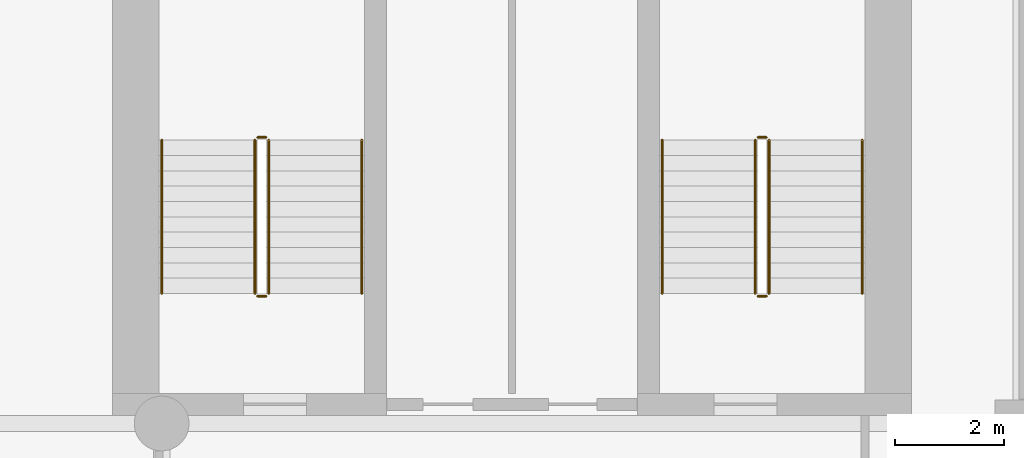
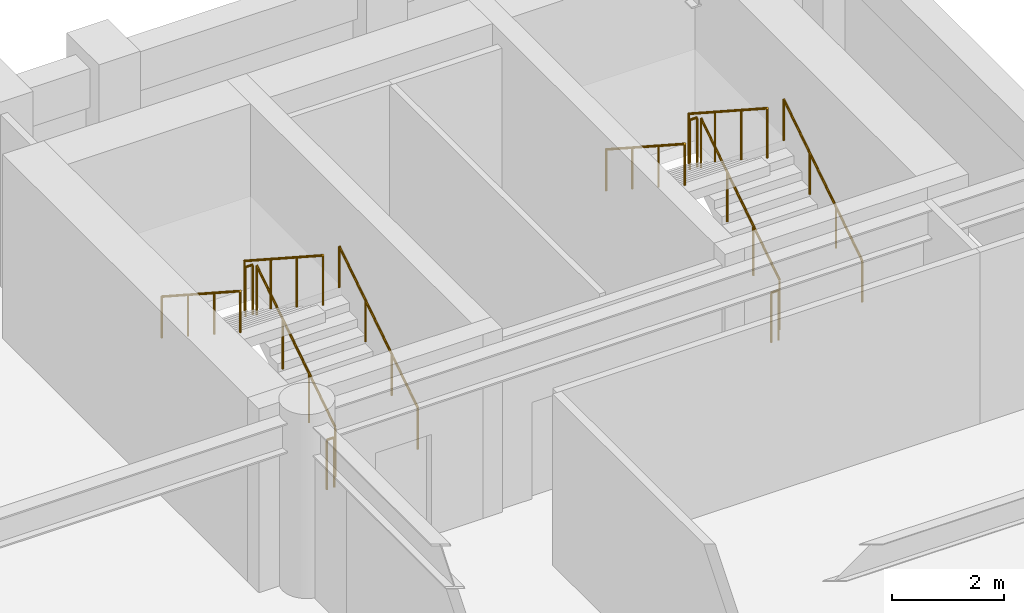
# One storey, part 8 of 8: 12 railings.
"""IFC4 building model written with IfcOpenShell, lengths in metres."""

from ifc_helpers import new_model, si_unit, direction, frame, origin, origin_2d, place, context, subcontext, project, spatial, circle, extrude, material, type_object, element, save


model = new_model("IFC4")

# Units and contexts
model_context = context("Model", 3, precision=1e-05, world=origin(), true_north=direction((0.0, 1.0)))
body_context = subcontext(model_context, "Body", "Model", "MODEL_VIEW")
ifc_project = project(units=[si_unit("LENGTHUNIT", "METRE"), si_unit("AREAUNIT", "SQUARE_METRE"), si_unit("VOLUMEUNIT", "CUBIC_METRE"), si_unit("PLANEANGLEUNIT", "RADIAN"), si_unit("MASSUNIT", "GRAM", prefix="KILO")], contexts=[model_context])

# Site, building, storey
site_placement = place(None, origin())
site = spatial("IfcSite", under=ifc_project, at=site_placement, CompositionType="ELEMENT")
building_placement = place(site_placement, origin())
building = spatial("IfcBuilding", under=site, at=building_placement, Name="Sulina Concourse Tower", CompositionType="ELEMENT")
storey_placement = place(building_placement, frame((0.0, 0.0, 116.60009765625)))
storey = spatial("IfcBuildingStorey", under=building, at=storey_placement, Name="L28", CompositionType="ELEMENT", Elevation=116.60009765625)

# Railings
ifc_material_1 = material(Name="Galvanised steel railing", Category="steel")
railing_type_1 = type_object("IfcRailingType", Name="Core Stair Steel Guardrail 1150mm", PredefinedType="GUARDRAIL", material=ifc_material_1)
railing_1_placement = place(storey_placement, frame((43.554931640625, 36.375, 0.181640625)))
element("IfcRailing", 1, at=railing_1_placement, inside=storey, type_object=railing_type_1, Name="L28 ST-3 stair guard 1", PredefinedType="GUARDRAIL", context=body_context, shape_type="SweptSolid", body=[
    extrude(circle(Radius=0.02392578125, at=origin_2d()), frame((0.0, 0.0, 1.076171875), z_axis=(0.0, 0.838672427954, 0.544636170843), x_axis=(-1.0, 0.0, 0.0)), (0.0, 0.0, 1.0), 3.338623046875),
    extrude(circle(Radius=0.02099609375, at=origin_2d()), origin(), (0.0, 0.0, 1.0), 1.052001953125),
    extrude(circle(Radius=0.02099609375, at=origin_2d()), frame((0.0, 0.933349609375, 0.606201171875)), (0.0, 0.0, 1.0), 1.052001953125),
    extrude(circle(Radius=0.02099609375, at=origin_2d()), frame((0.0, 1.86669921875, 1.212158203125)), (0.0, 0.0, 1.0), 1.052001953125),
    extrude(circle(Radius=0.02099609375, at=origin_2d()), frame((0.0, 2.800048828125, 1.818359375)), (0.0, 0.0, 1.0), 1.052001953125),
])
railing_2_placement = place(storey_placement, frame((43.5048828125, 39.22509765625, 2.0)))
element("IfcRailing", 2, at=railing_2_placement, inside=storey, type_object=railing_type_1, Name="L28 ST-3 stair guard 2", PredefinedType="GUARDRAIL", context=body_context, shape_type="SweptSolid", body=[
    extrude(circle(Radius=0.02392578125, at=origin_2d()), frame((0.0, 0.0, 1.076171875), z_axis=(-1.0, 0.0, 0.0), x_axis=(0.0, -1.0, 0.0)), (0.0, 0.0, 1.0), 0.14990234375),
    extrude(circle(Radius=0.02099609375, at=origin_2d()), origin(), (0.0, 0.0, 1.0), 1.052001953125),
    extrude(circle(Radius=0.02099609375, at=origin_2d()), frame((-0.14990234375, 0.0, 0.0)), (0.0, 0.0, 1.0), 1.052001953125),
])
railing_3_placement = place(storey_placement, frame((43.304931640625, 39.175048828125, 2.181640625)))
element("IfcRailing", 3, at=railing_3_placement, inside=storey, type_object=railing_type_1, Name="L28 ST-3 stair guard 3", PredefinedType="GUARDRAIL", context=body_context, shape_type="SweptSolid", body=[
    extrude(circle(Radius=0.02392578125, at=origin_2d()), frame((0.0, 0.0, 1.076171875), z_axis=(0.0, -0.838672427954, 0.544636170843), x_axis=(1.0, 0.0, 0.0)), (0.0, 0.0, 1.0), 3.338623046875),
    extrude(circle(Radius=0.02099609375, at=origin_2d()), origin(), (0.0, 0.0, 1.0), 1.052001953125),
    extrude(circle(Radius=0.02099609375, at=origin_2d()), frame((0.0, -0.933349609375, 0.606201171875)), (0.0, 0.0, 1.0), 1.052001953125),
    extrude(circle(Radius=0.02099609375, at=origin_2d()), frame((0.0, -1.86669921875, 1.212158203125)), (0.0, 0.0, 1.0), 1.052001953125),
    extrude(circle(Radius=0.02099609375, at=origin_2d()), frame((0.0, -2.800048828125, 1.818359375)), (0.0, 0.0, 1.0), 1.052001953125),
])
railing_4_placement = place(storey_placement, frame((43.5048828125, 36.324951171875, 0.0)))
element("IfcRailing", 4, at=railing_4_placement, inside=storey, type_object=railing_type_1, Name="L28 ST-3 stair guard 4", PredefinedType="GUARDRAIL", context=body_context, shape_type="SweptSolid", body=[
    extrude(circle(Radius=0.02392578125, at=origin_2d()), frame((0.0, 0.0, 1.076171875), z_axis=(-1.0, 0.0, 0.0), x_axis=(0.0, -1.0, 0.0)), (0.0, 0.0, 1.0), 0.14990234375),
    extrude(circle(Radius=0.02099609375, at=origin_2d()), origin(), (0.0, 0.0, 1.0), 1.052001953125),
    extrude(circle(Radius=0.02099609375, at=origin_2d()), frame((-0.14990234375, 0.0, 0.0)), (0.0, 0.0, 1.0), 1.052001953125),
])
railing_5_placement = place(storey_placement, frame((52.695068359375, 36.375, 0.181640625)))
element("IfcRailing", 5, at=railing_5_placement, inside=storey, type_object=railing_type_1, Name="L28 ST-4 stair guard 1", PredefinedType="GUARDRAIL", context=body_context, shape_type="SweptSolid", body=[
    extrude(circle(Radius=0.02392578125, at=origin_2d()), frame((0.0, 0.0, 1.076171875), z_axis=(0.0, 0.838672427954, 0.544636170843), x_axis=(-1.0, 0.0, 0.0)), (0.0, 0.0, 1.0), 3.338623046875),
    extrude(circle(Radius=0.02099609375, at=origin_2d()), origin(), (0.0, 0.0, 1.0), 1.052001953125),
    extrude(circle(Radius=0.02099609375, at=origin_2d()), frame((0.0, 0.933349609375, 0.606201171875)), (0.0, 0.0, 1.0), 1.052001953125),
    extrude(circle(Radius=0.02099609375, at=origin_2d()), frame((0.0, 1.86669921875, 1.212158203125)), (0.0, 0.0, 1.0), 1.052001953125),
    extrude(circle(Radius=0.02099609375, at=origin_2d()), frame((0.0, 2.800048828125, 1.818359375)), (0.0, 0.0, 1.0), 1.052001953125),
])
railing_6_placement = place(storey_placement, frame((52.64501953125, 39.22509765625, 2.0)))
element("IfcRailing", 6, at=railing_6_placement, inside=storey, type_object=railing_type_1, Name="L28 ST-4 stair guard 2", PredefinedType="GUARDRAIL", context=body_context, shape_type="SweptSolid", body=[
    extrude(circle(Radius=0.02392578125, at=origin_2d()), frame((0.0, 0.0, 1.076171875), z_axis=(-1.0, 0.0, 0.0), x_axis=(0.0, -1.0, 0.0)), (0.0, 0.0, 1.0), 0.14990234375),
    extrude(circle(Radius=0.02099609375, at=origin_2d()), origin(), (0.0, 0.0, 1.0), 1.052001953125),
    extrude(circle(Radius=0.02099609375, at=origin_2d()), frame((-0.14990234375, 0.0, 0.0)), (0.0, 0.0, 1.0), 1.052001953125),
])
railing_7_placement = place(storey_placement, frame((52.445068359375, 39.175048828125, 2.181640625)))
element("IfcRailing", 7, at=railing_7_placement, inside=storey, type_object=railing_type_1, Name="L28 ST-4 stair guard 3", PredefinedType="GUARDRAIL", context=body_context, shape_type="SweptSolid", body=[
    extrude(circle(Radius=0.02392578125, at=origin_2d()), frame((0.0, 0.0, 1.076171875), z_axis=(0.0, -0.838672427954, 0.544636170843), x_axis=(1.0, 0.0, 0.0)), (0.0, 0.0, 1.0), 3.338623046875),
    extrude(circle(Radius=0.02099609375, at=origin_2d()), origin(), (0.0, 0.0, 1.0), 1.052001953125),
    extrude(circle(Radius=0.02099609375, at=origin_2d()), frame((0.0, -0.933349609375, 0.606201171875)), (0.0, 0.0, 1.0), 1.052001953125),
    extrude(circle(Radius=0.02099609375, at=origin_2d()), frame((0.0, -1.86669921875, 1.212158203125)), (0.0, 0.0, 1.0), 1.052001953125),
    extrude(circle(Radius=0.02099609375, at=origin_2d()), frame((0.0, -2.800048828125, 1.818359375)), (0.0, 0.0, 1.0), 1.052001953125),
])
railing_8_placement = place(storey_placement, frame((52.64501953125, 36.324951171875, 0.0)))
element("IfcRailing", 8, at=railing_8_placement, inside=storey, type_object=railing_type_1, Name="L28 ST-4 stair guard 4", PredefinedType="GUARDRAIL", context=body_context, shape_type="SweptSolid", body=[
    extrude(circle(Radius=0.02392578125, at=origin_2d()), frame((0.0, 0.0, 1.076171875), z_axis=(-1.0, 0.0, 0.0), x_axis=(0.0, -1.0, 0.0)), (0.0, 0.0, 1.0), 0.14990234375),
    extrude(circle(Radius=0.02099609375, at=origin_2d()), origin(), (0.0, 0.0, 1.0), 1.052001953125),
    extrude(circle(Radius=0.02099609375, at=origin_2d()), frame((-0.14990234375, 0.0, 0.0)), (0.0, 0.0, 1.0), 1.052001953125),
])
ifc_material_2 = material(Name="Galvanised steel railing", Category="steel")
railing_type_2 = type_object("IfcRailingType", Name="Stair Wall Steel Handrail 920mm", PredefinedType="HANDRAIL", material=ifc_material_2)
railing_9_placement = place(storey_placement, frame((45.2548828125, 36.375, 0.181640625)))
element("IfcRailing", 9, at=railing_9_placement, inside=storey, type_object=railing_type_2, Name="L28 ST-3 stair handrail 1", PredefinedType="HANDRAIL", context=body_context, shape_type="SweptSolid", body=[
    extrude(circle(Radius=0.02392578125, at=origin_2d()), frame((0.0, 0.0, 0.89599609375), z_axis=(0.0, 0.838672427954, 0.544636170843), x_axis=(-1.0, 0.0, 0.0)), (0.0, 0.0, 1.0), 3.338623046875),
    extrude(circle(Radius=0.02099609375, at=origin_2d()), origin(), (0.0, 0.0, 1.0), 0.871826171875),
    extrude(circle(Radius=0.02099609375, at=origin_2d()), frame((0.0, 0.933349609375, 0.606201171875)), (0.0, 0.0, 1.0), 0.871826171875),
    extrude(circle(Radius=0.02099609375, at=origin_2d()), frame((0.0, 1.86669921875, 1.212158203125)), (0.0, 0.0, 1.0), 0.871826171875),
    extrude(circle(Radius=0.02099609375, at=origin_2d()), frame((0.0, 2.800048828125, 1.818359375)), (0.0, 0.0, 1.0), 0.871826171875),
])
railing_10_placement = place(storey_placement, frame((41.60498046875, 39.175048828125, 2.181640625)))
element("IfcRailing", 10, at=railing_10_placement, inside=storey, type_object=railing_type_2, Name="L28 ST-3 stair handrail 2", PredefinedType="HANDRAIL", context=body_context, shape_type="SweptSolid", body=[
    extrude(circle(Radius=0.02392578125, at=origin_2d()), frame((0.0, 0.0, 0.89599609375), z_axis=(0.0, -0.838672427954, 0.544636170843), x_axis=(1.0, 0.0, 0.0)), (0.0, 0.0, 1.0), 3.338623046875),
    extrude(circle(Radius=0.02099609375, at=origin_2d()), origin(), (0.0, 0.0, 1.0), 0.871826171875),
    extrude(circle(Radius=0.02099609375, at=origin_2d()), frame((0.0, -0.933349609375, 0.606201171875)), (0.0, 0.0, 1.0), 0.871826171875),
    extrude(circle(Radius=0.02099609375, at=origin_2d()), frame((0.0, -1.86669921875, 1.212158203125)), (0.0, 0.0, 1.0), 0.871826171875),
    extrude(circle(Radius=0.02099609375, at=origin_2d()), frame((0.0, -2.800048828125, 1.818359375)), (0.0, 0.0, 1.0), 0.871826171875),
])
railing_11_placement = place(storey_placement, frame((54.39501953125, 36.375, 0.181640625)))
element("IfcRailing", 11, at=railing_11_placement, inside=storey, type_object=railing_type_2, Name="L28 ST-4 stair handrail 1", PredefinedType="HANDRAIL", context=body_context, shape_type="SweptSolid", body=[
    extrude(circle(Radius=0.02392578125, at=origin_2d()), frame((0.0, 0.0, 0.89599609375), z_axis=(0.0, 0.838672427954, 0.544636170843), x_axis=(-1.0, 0.0, 0.0)), (0.0, 0.0, 1.0), 3.338623046875),
    extrude(circle(Radius=0.02099609375, at=origin_2d()), origin(), (0.0, 0.0, 1.0), 0.871826171875),
    extrude(circle(Radius=0.02099609375, at=origin_2d()), frame((0.0, 0.933349609375, 0.606201171875)), (0.0, 0.0, 1.0), 0.871826171875),
    extrude(circle(Radius=0.02099609375, at=origin_2d()), frame((0.0, 1.86669921875, 1.212158203125)), (0.0, 0.0, 1.0), 0.871826171875),
    extrude(circle(Radius=0.02099609375, at=origin_2d()), frame((0.0, 2.800048828125, 1.818359375)), (0.0, 0.0, 1.0), 0.871826171875),
])
railing_12_placement = place(storey_placement, frame((50.7451171875, 39.175048828125, 2.181640625)))
element("IfcRailing", 12, at=railing_12_placement, inside=storey, type_object=railing_type_2, Name="L28 ST-4 stair handrail 2", PredefinedType="HANDRAIL", context=body_context, shape_type="SweptSolid", body=[
    extrude(circle(Radius=0.02392578125, at=origin_2d()), frame((0.0, 0.0, 0.89599609375), z_axis=(0.0, -0.838672427954, 0.544636170843), x_axis=(1.0, 0.0, 0.0)), (0.0, 0.0, 1.0), 3.338623046875),
    extrude(circle(Radius=0.02099609375, at=origin_2d()), origin(), (0.0, 0.0, 1.0), 0.871826171875),
    extrude(circle(Radius=0.02099609375, at=origin_2d()), frame((0.0, -0.933349609375, 0.606201171875)), (0.0, 0.0, 1.0), 0.871826171875),
    extrude(circle(Radius=0.02099609375, at=origin_2d()), frame((0.0, -1.86669921875, 1.212158203125)), (0.0, 0.0, 1.0), 0.871826171875),
    extrude(circle(Radius=0.02099609375, at=origin_2d()), frame((0.0, -2.800048828125, 1.818359375)), (0.0, 0.0, 1.0), 0.871826171875),
])

save(model, "model.ifc")
